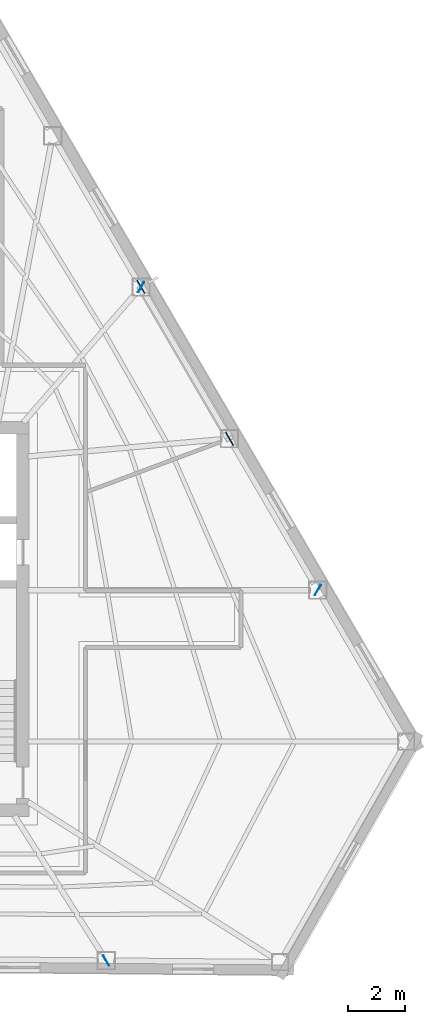
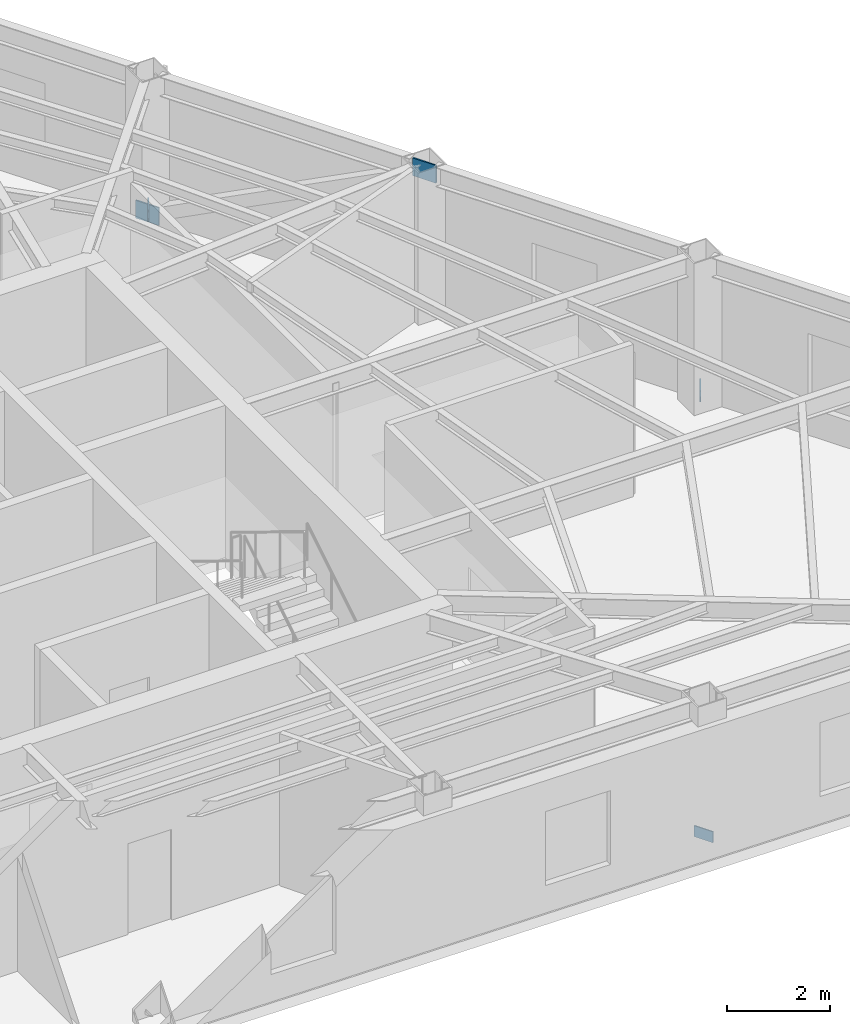
# One storey, part 5 of 11: 5 plates.
"""IFC4 building model written with IfcOpenShell, lengths in metres."""

from ifc_helpers import new_model, si_unit, direction, frame, origin, origin_2d, place, context, subcontext, project, spatial, rectangle, extrude, material, layer, layer_set, type_object, element, save


model = new_model("IFC4")

# Units and contexts
model_context = context("Model", 3, precision=1e-05, world=origin(), true_north=direction((0.0, 1.0)))
body_context = subcontext(model_context, "Body", "Model", "MODEL_VIEW")
ifc_project = project(units=[si_unit("LENGTHUNIT", "METRE"), si_unit("AREAUNIT", "SQUARE_METRE"), si_unit("VOLUMEUNIT", "CUBIC_METRE"), si_unit("PLANEANGLEUNIT", "RADIAN"), si_unit("MASSUNIT", "GRAM", prefix="KILO")], contexts=[model_context])

# Site, building, storey
site_placement = place(None, origin())
site = spatial("IfcSite", under=ifc_project, at=site_placement, CompositionType="ELEMENT")
building_placement = place(site_placement, origin())
building = spatial("IfcBuilding", under=site, at=building_placement, Name="Kavelnor Concourse Tower", CompositionType="ELEMENT")
storey_placement = place(building_placement, frame((0.0, 0.0, 184.25)))
storey = spatial("IfcBuildingStorey", under=building, at=storey_placement, Name="L46", CompositionType="ELEMENT", Elevation=184.25)

# Plates
ifc_material = material(Name="Steel Grade 350", Category="steel")
ifc_layer_1 = layer(ifc_material, 0.031982421875, Name="Steel Grade 350")
ifc_layer_set_1 = layer_set([ifc_layer_1], Name="Steel Grade 350")
plate_type_1 = type_object("IfcPlateType", Name="PL-GUSSET-TUBE-Z1", PredefinedType="USERDEFINED", material=ifc_layer_set_1)
for number, where, z_axis, x_axis, name in (
    (1, (51.8876953125, 27.773681640625, 0.010009765625), (0.0, 0.0, 1.0), (0.503924737109, -0.863747566902, 0.0), "L46 Tube Brace Gusset GP3 F2-B2 End Gusset A"),
    (2, (55.00439453125, 22.431396484375, 3.16015625), (0.0, 0.0, 1.0), (0.503924737109, -0.863747566902, 0.0), "L46 Tube Brace Gusset GP3 F2-B2 End Gusset B"),
):
    element("IfcPlate", number, at=place(storey_placement, frame(where, z_axis=z_axis, x_axis=x_axis)), inside=storey, type_object=plate_type_1, Name=name, ObjectType="GUSSET_PLATE", PredefinedType="USERDEFINED", context=body_context, shape_type="SweptSolid", body=[
        extrude(rectangle(XDim=0.52001953125, YDim=0.031982421875, at=origin_2d()), origin(), (0.0, 0.0, 1.0), 0.419921875),
    ])
ifc_layer_2 = layer(ifc_material, 0.02490234375, Name="Steel Grade 350")
ifc_layer_set_2 = layer_set([ifc_layer_2], Name="Steel Grade 350")
plate_type_2 = type_object("IfcPlateType", Name="PL-SPLICE-FLANGE", PredefinedType="SHEET", material=ifc_layer_set_2)
for number, where, z_axis, x_axis, name in (
    (3, (50.6689453125, 4.103271484375, 0.169921875), (0.0, 0.0, 1.0), (-0.5, 0.866025403784, 0.0), "L46 Column Flange Splice Plate F1-B5"),
    (4, (58.10302734375, 17.120361328125, 0.169921875), (0.0, 0.0, 1.0), (-0.5, -0.866025403784, 0.0), "L46 Column Flange Splice Plate F2-B1"),
    (5, (51.893798828125, 27.76318359375, 0.169921875), (0.0, 0.0, 1.0), (-0.5, -0.866025403784, 0.0), "L46 Column Flange Splice Plate F2-B3"),
):
    element("IfcPlate", number, at=place(storey_placement, frame(where, z_axis=z_axis, x_axis=x_axis)), inside=storey, type_object=plate_type_2, Name=name, PredefinedType="SHEET", context=body_context, shape_type="SweptSolid", body=[
        extrude(rectangle(XDim=0.419921875, YDim=0.02490234375, at=origin_2d()), origin(), (0.0, 0.0, 1.0), 0.260009765625),
    ])

save(model, "model.ifc")
